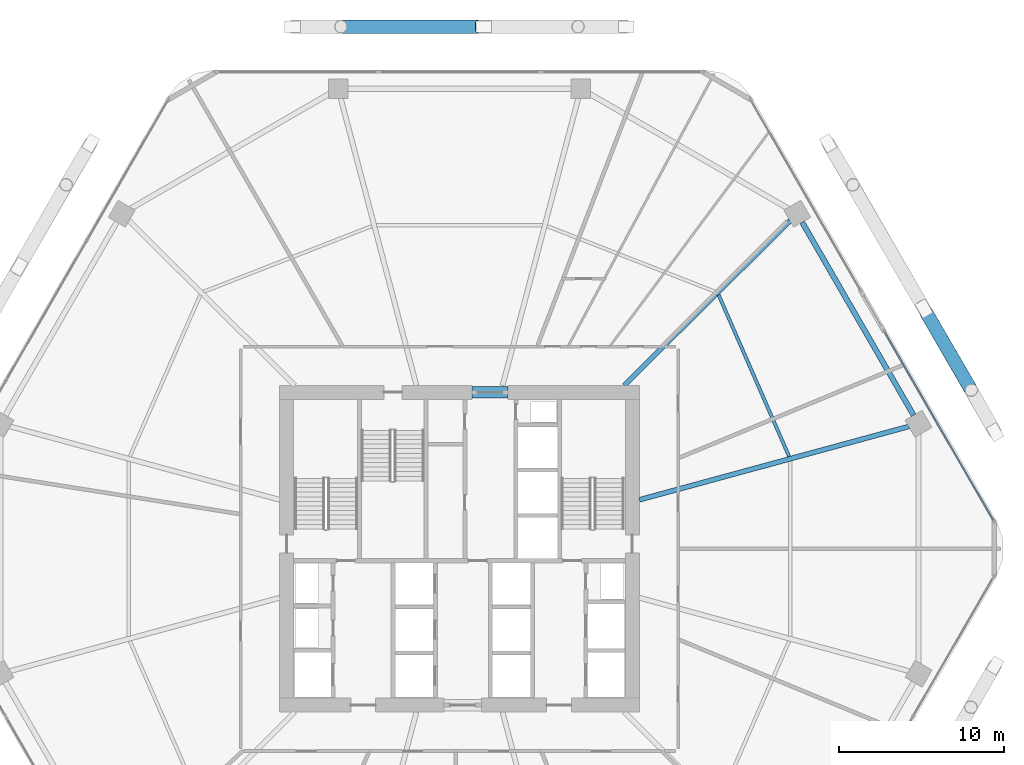
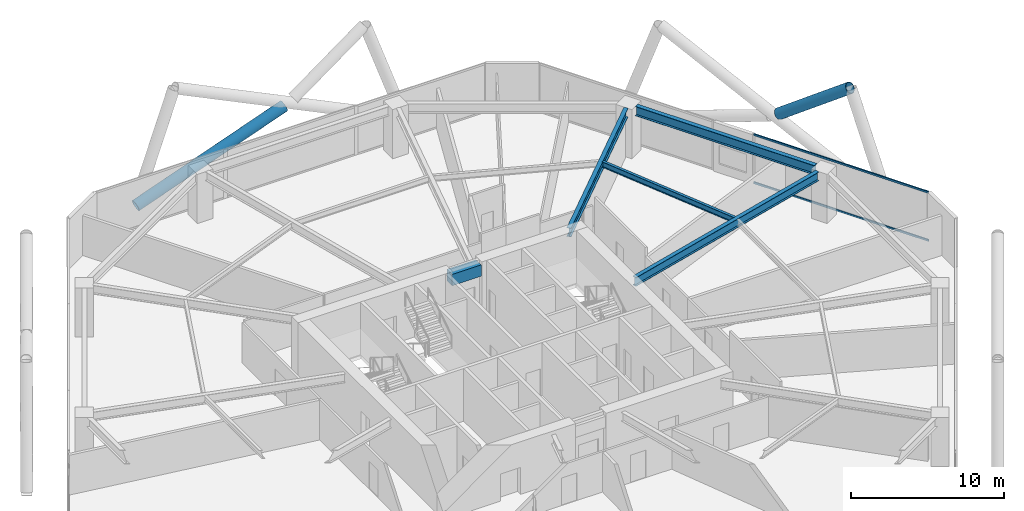
# One storey, part 18 of 28: 5 beams, 4 members, 1 element without a shape of its own.
"""IFC4 building model written with IfcOpenShell, lengths in metres."""

from ifc_helpers import new_model, si_unit, direction, frame, origin, origin_2d, place, context, subcontext, project, spatial, rectangle, hollow_rectangle, hollow_circle, i_section, extrude, material, material_profile, profile_set, type_object, element, aggregate, save


model = new_model("IFC4")

# Units and contexts
model_context = context("Model", 3, precision=1e-05, world=origin(), true_north=direction((0.0, 1.0)))
body_context = subcontext(model_context, "Body", "Model", "MODEL_VIEW")
ifc_project = project(units=[si_unit("LENGTHUNIT", "METRE"), si_unit("AREAUNIT", "SQUARE_METRE"), si_unit("VOLUMEUNIT", "CUBIC_METRE"), si_unit("PLANEANGLEUNIT", "RADIAN"), si_unit("MASSUNIT", "GRAM", prefix="KILO")], contexts=[model_context])

# Site, building, storey
site_placement = place(None, origin())
site = spatial("IfcSite", under=ifc_project, at=site_placement, CompositionType="ELEMENT")
building_placement = place(site_placement, origin())
building = spatial("IfcBuilding", under=site, at=building_placement, Name="Zuhravey Tower", CompositionType="ELEMENT")
storey_placement = place(building_placement, frame((0.0, 0.0, 75.0)))
storey = spatial("IfcBuildingStorey", under=building, at=storey_placement, Name="L18", CompositionType="ELEMENT", Elevation=75.0)

# Beam
ifc_material_1 = material(Name="Concrete C60/75", Category="concrete")
ifc_material_profile_1 = material_profile(ifc_material_1, rectangle(XDim=0.699951171875, YDim=0.89990234375, at=origin_2d()), Name="RC-700x900")
ifc_profile_set_1 = profile_set([ifc_material_profile_1], Name="Concrete C60/75")
beam_type_1 = type_object("IfcBeamType", Name="Core Coupling Beam RC700x900", PredefinedType="LINTEL", material=ifc_profile_set_1)
beam_1_placement = place(storey_placement, frame((36.751953125, 41.5, 3.469970703125), z_axis=(1.0, 0.0, 0.0), x_axis=(0.0, 1.0, 0.0)))
element("IfcBeam", 1, at=beam_1_placement, inside=storey, type_object=beam_type_1, Name="L18 CB1 BM-L18-CB-N", PredefinedType="LINTEL", context=body_context, shape_type="SweptSolid", body=[
    extrude(rectangle(XDim=0.699951171875, YDim=0.89990234375, at=origin_2d()), origin(), (0.0, 0.0, 1.0), 2.196044921875),
])

# Curtain wall, members
ifc_material_2 = material(Name="Thermally broken anodised aluminium", Category="aluminium")
curtain_wall_type = type_object("IfcCurtainWallType", Name="School Low-E Unitised Curtain Wall CW1", PredefinedType="NOTDEFINED", material=ifc_material_2)
curtain_wall_placement = place(storey_placement, origin())
curtain_wall = element("IfcCurtainWall", 2, at=curtain_wall_placement, inside=storey, type_object=curtain_wall_type, Name="L18 CW1 CW-L18-F1-2", PredefinedType="NOTDEFINED")
ifc_material_3 = material(Name="Anodised aluminium", Category="aluminium")
ifc_material_profile_2 = material_profile(ifc_material_3, hollow_rectangle(XDim=0.090087890625, YDim=0.14990234375, WallThickness=0.0048828125, at=origin_2d()), Name="ALU-RHS-90x150x5")
ifc_profile_set_2 = profile_set([ifc_material_profile_2], Name="Anodised aluminium")
member_type_1 = type_object("IfcMemberType", Name="Curtain-Wall Transom 90x150", PredefinedType="USERDEFINED", material=ifc_profile_set_2)
member_1_placement = place(storey_placement, frame((61.836181640625, 45.167236328125, 0.044921875), z_axis=(0.500009686361, -0.866019811289, 0.0), x_axis=(0.866019811289, 0.500009686361, 0.0)))
member_1 = element("IfcMember", 3, at=member_1_placement, type_object=member_type_1, Name="CW1 transom 1.1", ObjectType="TRANSOM", PredefinedType="USERDEFINED", context=body_context, shape_type="SweptSolid", body=[
    extrude(hollow_rectangle(XDim=0.090087890625, YDim=0.14990234375, WallThickness=0.0048828125, at=origin_2d()), origin(), (0.0, 0.0, 1.0), 13.194580078125),
])
member_2_placement = place(storey_placement, frame((61.836181640625, 45.167236328125, 3.875), z_axis=(0.500009686361, -0.866019811289, 0.0), x_axis=(0.866019811289, 0.500009686361, 0.0)))
member_2 = element("IfcMember", 4, at=member_2_placement, type_object=member_type_1, Name="CW1 transom 1.2", ObjectType="TRANSOM", PredefinedType="USERDEFINED", context=body_context, shape_type="SweptSolid", body=[
    extrude(hollow_rectangle(XDim=0.090087890625, YDim=0.14990234375, WallThickness=0.0048828125, at=origin_2d()), origin(), (0.0, 0.0, 1.0), 13.194580078125),
])
aggregate(curtain_wall, [member_1, member_2])

# Members
ifc_material_4 = material(Name="Steel SM460", Category="steel")
ifc_material_profile_3 = material_profile(ifc_material_4, hollow_circle(Radius=0.406494140625, WallThickness=0.035888671875, at=origin_2d()), Name="CHS-812.8x36")
ifc_profile_set_3 = profile_set([ifc_material_profile_3], Name="Steel SM460")
member_type_2 = type_object("IfcMemberType", Name="Exoskeleton Zone 1 Diagrid CHS813x36", PredefinedType="BRACE", material=ifc_profile_set_3)
member_3_placement = place(storey_placement, frame((64.378173828125, 46.31591796875, 3.940673828125), z_axis=(0.404938114876, -0.697079381763, 0.591697100417), x_axis=(0.864690709359, 0.502304665665, 0.0)))
element("IfcMember", 5, at=member_3_placement, inside=storey, type_object=member_type_2, Name="L18 Face 1 Split Diagrid Brace 3B", PredefinedType="BRACE", context=body_context, shape_type="SweptSolid", body=[
    extrude(hollow_circle(Radius=0.406494140625, WallThickness=0.035888671875, at=origin_2d()), origin(), (0.0, 0.0, 1.0), 6.6513671875),
])
member_4_placement = place(storey_placement, frame((25.91064453125, 63.718505859375, -0.476806640625), z_axis=(0.940345778903, 0.0, 0.340220246458), x_axis=(0.0, 1.0, 0.0)))
element("IfcMember", 6, at=member_4_placement, inside=storey, type_object=member_type_2, Name="L18 Face 2 Split Diagrid Brace 3A", PredefinedType="BRACE", context=body_context, shape_type="SweptSolid", body=[
    extrude(hollow_circle(Radius=0.406494140625, WallThickness=0.035888671875, at=origin_2d()), origin(), (0.0, 0.0, 1.0), 11.897705078125),
])

# Beams
ifc_material_5 = material(Name="Steel SM355", Category="steel")
ifc_material_profile_4 = material_profile(ifc_material_5, i_section(OverallWidth=0.320068359375, OverallDepth=0.75, WebThickness=0.013916015625, FlangeThickness=0.02490234375, at=origin_2d()), Name="H-750x320x14x25")
ifc_profile_set_4 = profile_set([ifc_material_profile_4], Name="Steel SM355")
beam_type_2 = type_object("IfcBeamType", Name="Perimeter Ring Beam H750x320", PredefinedType="BEAM", material=ifc_profile_set_4)
beam_2_placement = place(storey_placement, frame((63.587646484375, 40.11376953125, 3.544921875), z_axis=(-0.499999877243, 0.866025474658, 0.0), x_axis=(-0.866025474658, -0.499999877243, 0.0)))
element("IfcBeam", 7, at=beam_2_placement, inside=storey, type_object=beam_type_2, Name="L18 PB1 BM-L18-PB-01", PredefinedType="BEAM", context=body_context, shape_type="SweptSolid", body=[
    extrude(i_section(OverallWidth=0.320068359375, OverallDepth=0.75, WebThickness=0.013916015625, FlangeThickness=0.02490234375, at=origin_2d()), origin(), (0.0, 0.0, 1.0), 13.5341796875),
])
ifc_material_profile_5 = material_profile(ifc_material_5, i_section(OverallWidth=0.300048828125, OverallDepth=0.699951171875, WebThickness=0.012939453125, FlangeThickness=0.02392578125, at=origin_2d()), Name="H-700x300x13x24")
ifc_profile_set_5 = profile_set([ifc_material_profile_5], Name="Steel SM355")
beam_type_3 = type_object("IfcBeamType", Name="Radial Primary Girder H700x300", PredefinedType="BEAM", material=ifc_profile_set_5)
beam_3_placement = place(storey_placement, frame((46.927978515625, 34.974609375, 3.570068359375), z_axis=(0.964892480455, 0.26264520015, 0.0), x_axis=(-0.26264520015, 0.964892480455, 0.0)))
element("IfcBeam", 8, at=beam_3_placement, inside=storey, type_object=beam_type_3, Name="L18 RG1 BM-L18-RAD-01", PredefinedType="BEAM", context=body_context, shape_type="SweptSolid", body=[
    extrude(i_section(OverallWidth=0.300048828125, OverallDepth=0.699951171875, WebThickness=0.012939453125, FlangeThickness=0.02392578125, at=origin_2d()), origin(), (0.0, 0.0, 1.0), 16.975341796875),
])
beam_4_placement = place(storey_placement, frame((46.007080078125, 41.927978515625, 3.570068359375), z_axis=(0.709902823282, 0.704299639, 0.0), x_axis=(-0.704299639, 0.709902823282, 0.0)))
element("IfcBeam", 9, at=beam_4_placement, inside=storey, type_object=beam_type_3, Name="L18 RG1 BM-L18-RAD-02", PredefinedType="BEAM", context=body_context, shape_type="SweptSolid", body=[
    extrude(i_section(OverallWidth=0.300048828125, OverallDepth=0.699951171875, WebThickness=0.012939453125, FlangeThickness=0.02392578125, at=origin_2d()), origin(), (0.0, 0.0, 1.0), 14.204345703125),
])
ifc_material_profile_6 = material_profile(ifc_material_5, i_section(OverallWidth=0.199951171875, OverallDepth=0.449951171875, WebThickness=0.009033203125, FlangeThickness=0.013916015625, at=origin_2d()), Name="H-450x200x9x14")
ifc_profile_set_6 = profile_set([ifc_material_profile_6], Name="Steel SM355")
beam_type_4 = type_object("IfcBeamType", Name="Secondary Floor Joist H450x200", PredefinedType="JOIST", material=ifc_profile_set_6)
beam_5_placement = place(storey_placement, frame((56.025390625, 37.60888671875, 3.695068359375), z_axis=(-0.399923551578, 0.916548500022, 0.0), x_axis=(-0.916548500022, -0.399923551578, 0.0)))
element("IfcBeam", 10, at=beam_5_placement, inside=storey, type_object=beam_type_4, Name="L18 SJ1 BM-L18-SJ-01-1", PredefinedType="JOIST", context=body_context, shape_type="SweptSolid", body=[
    extrude(i_section(OverallWidth=0.199951171875, OverallDepth=0.449951171875, WebThickness=0.009033203125, FlangeThickness=0.013916015625, at=origin_2d()), origin(), (0.0, 0.0, 1.0), 10.70263671875),
])

save(model, "model.ifc")
